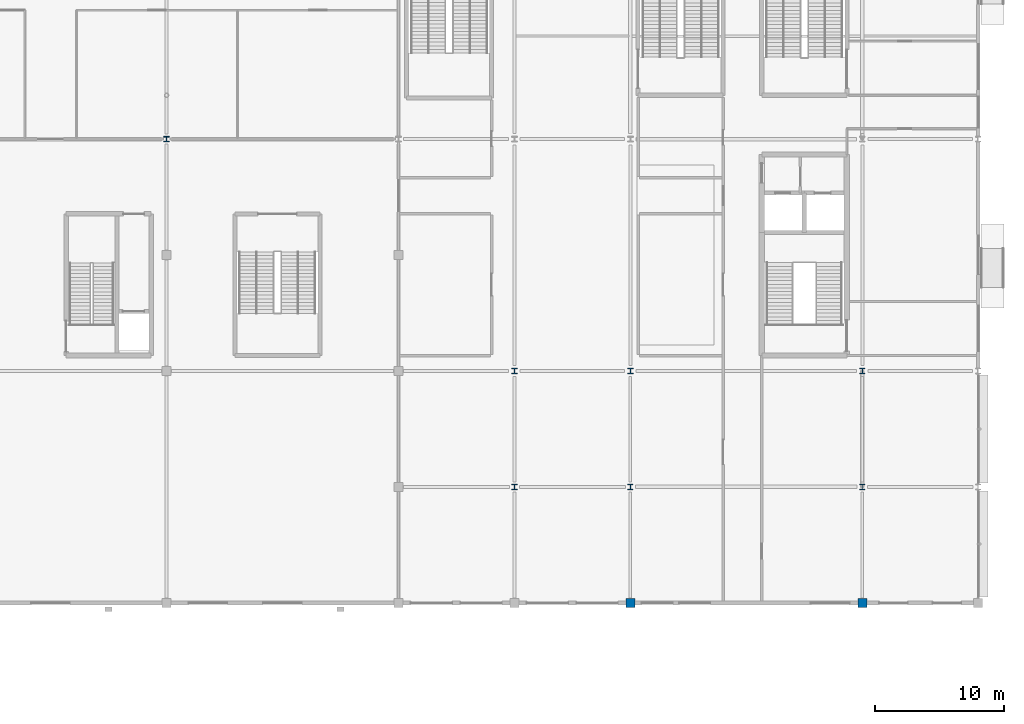
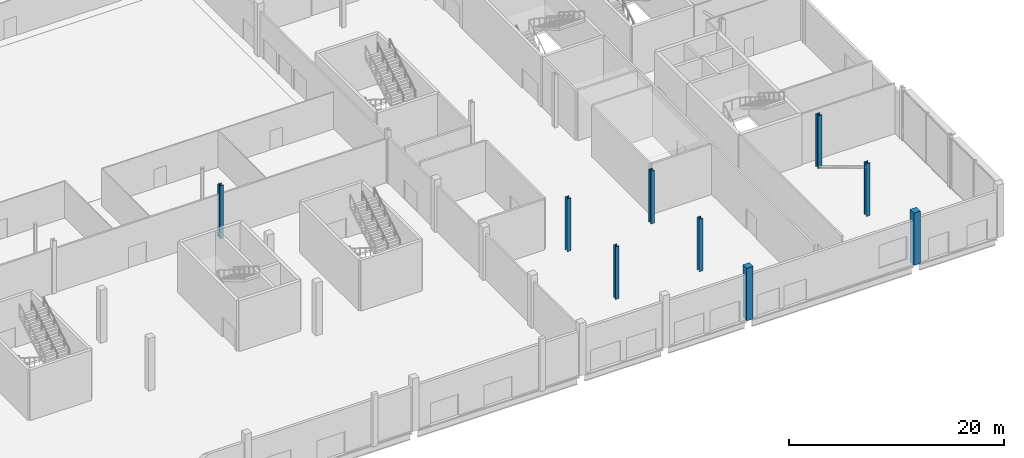
# One storey, part 10 of 84: 9 columns.
"""IFC4 building model written with IfcOpenShell, lengths in metres."""

from ifc_helpers import new_model, si_unit, direction, frame, origin, origin_2d, place, context, subcontext, project, spatial, rectangle, i_section, extrude, material, material_profile, profile_set, type_object, element, save


model = new_model("IFC4")

# Units and contexts
model_context = context("Model", 3, precision=1e-05, world=origin(), true_north=direction((0.0, 1.0)))
body_context = subcontext(model_context, "Body", "Model", "MODEL_VIEW")
ifc_project = project(units=[si_unit("LENGTHUNIT", "METRE"), si_unit("AREAUNIT", "SQUARE_METRE"), si_unit("VOLUMEUNIT", "CUBIC_METRE"), si_unit("PLANEANGLEUNIT", "RADIAN"), si_unit("MASSUNIT", "GRAM", prefix="KILO")], contexts=[model_context])

# Site, building, storey
site_placement = place(None, origin())
site = spatial("IfcSite", under=ifc_project, at=site_placement, CompositionType="ELEMENT")
building_placement = place(site_placement, origin())
building = spatial("IfcBuilding", under=site, at=building_placement, Name="Kisiwana Market Hall", CompositionType="ELEMENT")
storey_placement = place(building_placement, origin())
storey = spatial("IfcBuildingStorey", under=building, at=storey_placement, Name="L00", CompositionType="ELEMENT", Elevation=0.0)

# Columns
ifc_material_1 = material(Name="Concrete C40/50", Category="concrete")
ifc_material_profile_1 = material_profile(ifc_material_1, rectangle(XDim=0.699951171875, YDim=0.699951171875, at=origin_2d()), Name="RC 700x700")
ifc_profile_set_1 = profile_set([ifc_material_profile_1], Name="Concrete C40/50")
column_type_1 = type_object("IfcColumnType", Name="COL-RC-POD-700", PredefinedType="COLUMN", material=ifc_profile_set_1)
for number, where, z_axis, x_axis, name in (
    (1, (171.0, 0.0, 0.0), (0.0, 0.0, 1.0), (1.0, 0.0, 0.0), "Column A/20 (L00) C-0305"),
    (2, (189.0, 0.0, 0.0), (0.0, 0.0, 1.0), (1.0, 0.0, 0.0), "Column A/22 (L00) C-0315"),
):
    element("IfcColumn", number, at=place(storey_placement, frame(where, z_axis=z_axis, x_axis=x_axis)), inside=storey, type_object=column_type_1, Name=name, PredefinedType="COLUMN", context=body_context, shape_type="SweptSolid", body=[
        extrude(rectangle(XDim=0.699951171875, YDim=0.699951171875, at=origin_2d()), origin(), (0.0, 0.0, 1.0), 6.0),
    ])
ifc_material_2 = material(Name="Steel S355", Category="steel")
ifc_material_profile_2 = material_profile(ifc_material_2, i_section(OverallWidth=0.412109375, OverallDepth=0.43505859375, WebThickness=0.035888671875, FlangeThickness=0.05810546875, at=origin_2d()), Name="HD 400x463")
ifc_profile_set_2 = profile_set([ifc_material_profile_2], Name="Steel S355")
column_type_2 = type_object("IfcColumnType", Name="COL-STL-HD463", PredefinedType="COLUMN", material=ifc_profile_set_2)
for number, where, z_axis, x_axis, name in (
    (3, (135.0, 36.0, 0.0), (0.0, 0.0, 1.0), (1.0, 0.0, 0.0), "Column E/16 (L00) C-0278"),
    (4, (162.0, 18.0, 0.0), (0.0, 0.0, 1.0), (1.0, 0.0, 0.0), "Column C/19 (L00) C-0298"),
    (5, (171.0, 18.0, 0.0), (0.0, 0.0, 1.0), (1.0, 0.0, 0.0), "Column C/20 (L00) C-0307"),
    (6, (189.0, 18.0, 0.0), (0.0, 0.0, 1.0), (1.0, 0.0, 0.0), "Column C/22 (L00) C-0317"),
):
    element("IfcColumn", number, at=place(storey_placement, frame(where, z_axis=z_axis, x_axis=x_axis)), inside=storey, type_object=column_type_2, Name=name, PredefinedType="COLUMN", context=body_context, shape_type="SweptSolid", body=[
        extrude(i_section(OverallWidth=0.412109375, OverallDepth=0.43505859375, WebThickness=0.035888671875, FlangeThickness=0.05810546875, at=origin_2d()), origin(), (0.0, 0.0, 1.0), 6.0),
    ])
ifc_material_3 = material(Name="Steel S355", Category="steel")
ifc_material_profile_3 = material_profile(ifc_material_3, i_section(OverallWidth=0.403076171875, OverallDepth=0.406494140625, WebThickness=0.026611328125, FlangeThickness=0.04296875, at=origin_2d()), Name="UC 356x406x340")
ifc_profile_set_3 = profile_set([ifc_material_profile_3], Name="Steel S355")
column_type_3 = type_object("IfcColumnType", Name="COL-STL-UC340", PredefinedType="COLUMN", material=ifc_profile_set_3)
for number, where, z_axis, x_axis, name in (
    (7, (162.0, 9.0, 0.0), (0.0, 0.0, 1.0), (1.0, 0.0, 0.0), "Column B/19 (L00) C-0297"),
    (8, (171.0, 9.0, 0.0), (0.0, 0.0, 1.0), (1.0, 0.0, 0.0), "Column B/20 (L00) C-0306"),
    (9, (189.0, 9.0, 0.0), (0.0, 0.0, 1.0), (1.0, 0.0, 0.0), "Column B/22 (L00) C-0316"),
):
    element("IfcColumn", number, at=place(storey_placement, frame(where, z_axis=z_axis, x_axis=x_axis)), inside=storey, type_object=column_type_3, Name=name, PredefinedType="COLUMN", context=body_context, shape_type="SweptSolid", body=[
        extrude(i_section(OverallWidth=0.403076171875, OverallDepth=0.406494140625, WebThickness=0.026611328125, FlangeThickness=0.04296875, at=origin_2d()), origin(), (0.0, 0.0, 1.0), 6.0),
    ])

save(model, "model.ifc")
